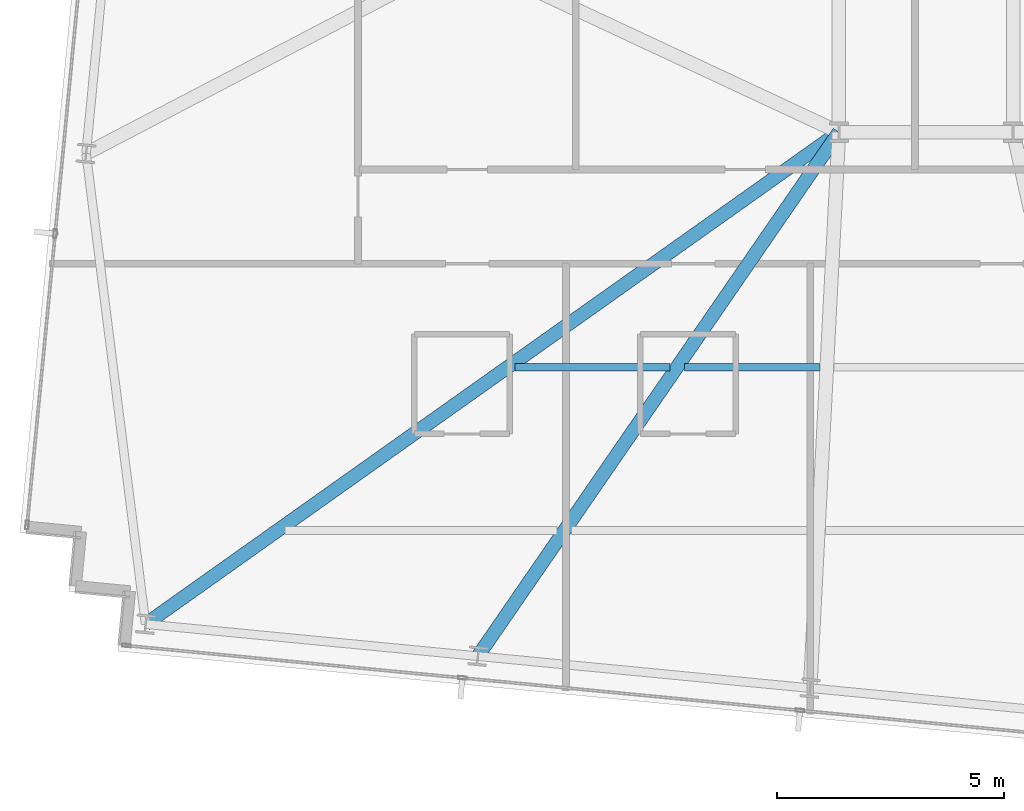
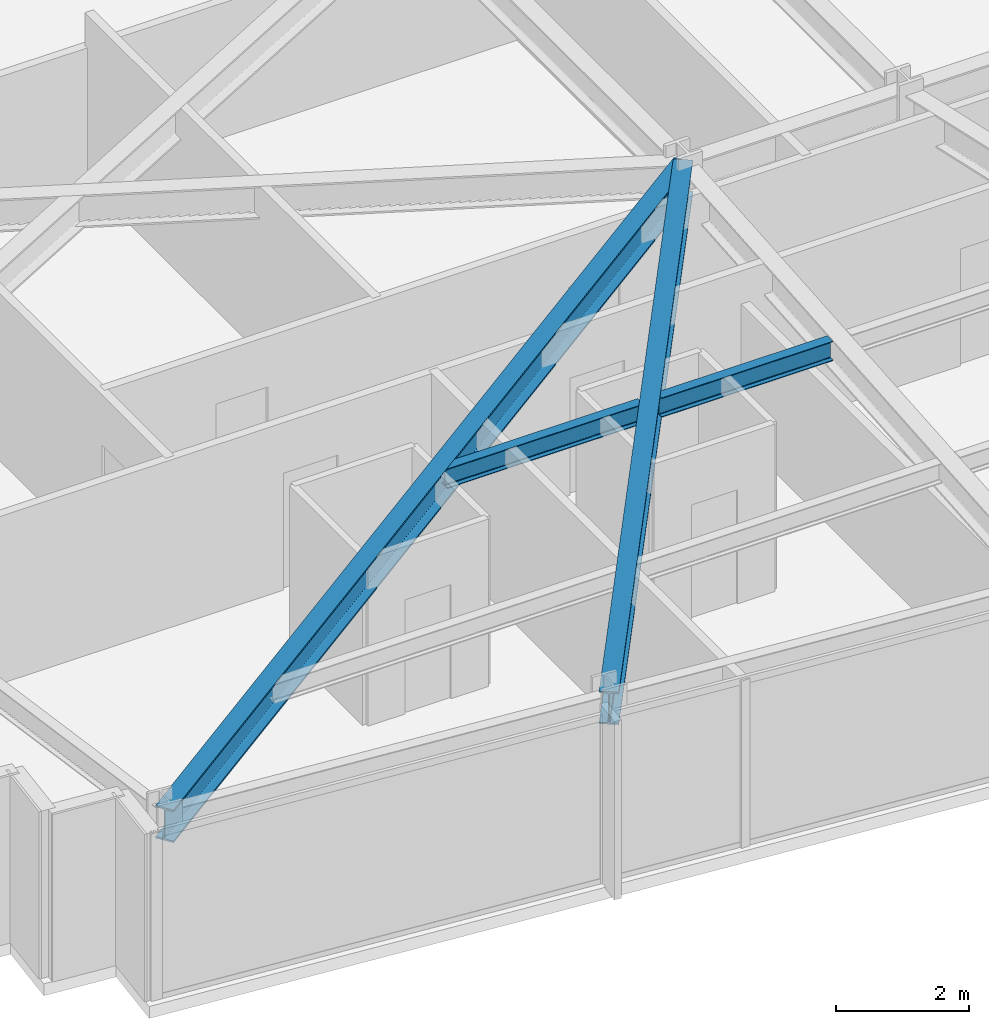
# One storey, part 5 of 37: 4 beams.
"""IFC4 building model written with IfcOpenShell, lengths in metres."""

from ifc_helpers import new_model, si_unit, direction, frame, origin, origin_2d, place, context, subcontext, project, spatial, i_section, extrude, material, material_profile, profile_set, type_object, element, save


model = new_model("IFC4")

# Units and contexts
model_context = context("Model", 3, precision=1e-05, world=origin(), true_north=direction((0.0, 1.0)))
body_context = subcontext(model_context, "Body", "Model", "MODEL_VIEW")
ifc_project = project(units=[si_unit("LENGTHUNIT", "METRE"), si_unit("AREAUNIT", "SQUARE_METRE"), si_unit("VOLUMEUNIT", "CUBIC_METRE"), si_unit("PLANEANGLEUNIT", "RADIAN"), si_unit("MASSUNIT", "GRAM", prefix="KILO")], contexts=[model_context])

# Site, building, storey
site_placement = place(None, origin())
site = spatial("IfcSite", under=ifc_project, at=site_placement, CompositionType="ELEMENT")
building_placement = place(site_placement, origin())
building = spatial("IfcBuilding", under=site, at=building_placement, Name="Yelkora Congress Tower", CompositionType="ELEMENT")
storey_placement = place(building_placement, frame((0.0, 0.0, 168.800048828125)))
storey = spatial("IfcBuildingStorey", under=building, at=storey_placement, Name="L46", CompositionType="ELEMENT", Elevation=168.800048828125)

# Beams
ifc_material = material(Name="Steel S355J2", Category="steel")
ifc_material_profile_1 = material_profile(ifc_material, i_section(OverallWidth=0.300048828125, OverallDepth=0.60009765625, WebThickness=0.015380859375, FlangeThickness=0.030029296875, FilletRadius=0.027099609375, at=origin_2d()), Name="HEB 600")
ifc_profile_set_1 = profile_set([ifc_material_profile_1], Name="Steel S355J2")
beam_type_1 = type_object("IfcBeamType", Name="BM-GIRD-HEB600", PredefinedType="BEAM", material=ifc_profile_set_1)
beam_1_placement = place(storey_placement, frame((3.919189453125, 14.357421875, 2.780029296875), z_axis=(0.815554555366, 0.578680194254, 0.0), x_axis=(-0.578680194254, 0.815554555366, 0.0)))
element("IfcBeam", 1, at=beam_1_placement, inside=storey, type_object=beam_type_1, Name="L46 Primary Frame Girder S01", PredefinedType="BEAM", context=body_context, shape_type="SweptSolid", body=[
    extrude(i_section(OverallWidth=0.300048828125, OverallDepth=0.60009765625, WebThickness=0.015380859375, FlangeThickness=0.030029296875, FilletRadius=0.027099609375, at=origin_2d()), origin(), (0.0, 0.0, 1.0), 18.736572265625),
])
beam_2_placement = place(storey_placement, frame((11.242431640625, 13.652099609375, 2.780029296875), z_axis=(0.567418043278, 0.823429878109, 0.0), x_axis=(-0.823429878109, 0.567418043278, 0.0)))
element("IfcBeam", 2, at=beam_2_placement, inside=storey, type_object=beam_type_1, Name="L46 Primary Frame Girder S02", PredefinedType="BEAM", context=body_context, shape_type="SweptSolid", body=[
    extrude(i_section(OverallWidth=0.300048828125, OverallDepth=0.60009765625, WebThickness=0.015380859375, FlangeThickness=0.030029296875, FilletRadius=0.027099609375, at=origin_2d()), origin(), (0.0, 0.0, 1.0), 14.024169921875),
])
ifc_material_profile_2 = material_profile(ifc_material, i_section(OverallWidth=0.169921875, OverallDepth=0.360107421875, WebThickness=0.008056640625, FlangeThickness=0.0126953125, FilletRadius=0.01806640625, at=origin_2d()), Name="IPE 360")
ifc_profile_set_2 = profile_set([ifc_material_profile_2], Name="Steel S355J2")
beam_type_2 = type_object("IfcBeamType", Name="BM-JOIST-IPE360", PredefinedType="JOIST", material=ifc_profile_set_2)
beam_3_placement = place(storey_placement, frame((12.061279296875, 20.021240234375, 2.89990234375), z_axis=(1.0, 0.0, 0.0), x_axis=(0.0, 1.0, 0.0)))
element("IfcBeam", 3, at=beam_3_placement, inside=storey, type_object=beam_type_2, Name="L46 Composite Floor Joist 12", PredefinedType="JOIST", context=body_context, shape_type="SweptSolid", body=[
    extrude(i_section(OverallWidth=0.169921875, OverallDepth=0.360107421875, WebThickness=0.008056640625, FlangeThickness=0.0126953125, FilletRadius=0.01806640625, at=origin_2d()), origin(), (0.0, 0.0, 1.0), 3.409912109375),
])
beam_4_placement = place(storey_placement, frame((15.791259765625, 20.021240234375, 2.89990234375), z_axis=(1.0, 0.0, 0.0), x_axis=(0.0, 1.0, 0.0)))
element("IfcBeam", 4, at=beam_4_placement, inside=storey, type_object=beam_type_2, Name="L46 Composite Floor Joist 13", PredefinedType="JOIST", context=body_context, shape_type="SweptSolid", body=[
    extrude(i_section(OverallWidth=0.169921875, OverallDepth=0.360107421875, WebThickness=0.008056640625, FlangeThickness=0.0126953125, FilletRadius=0.01806640625, at=origin_2d()), origin(), (0.0, 0.0, 1.0), 2.980712890625),
])

save(model, "model.ifc")
